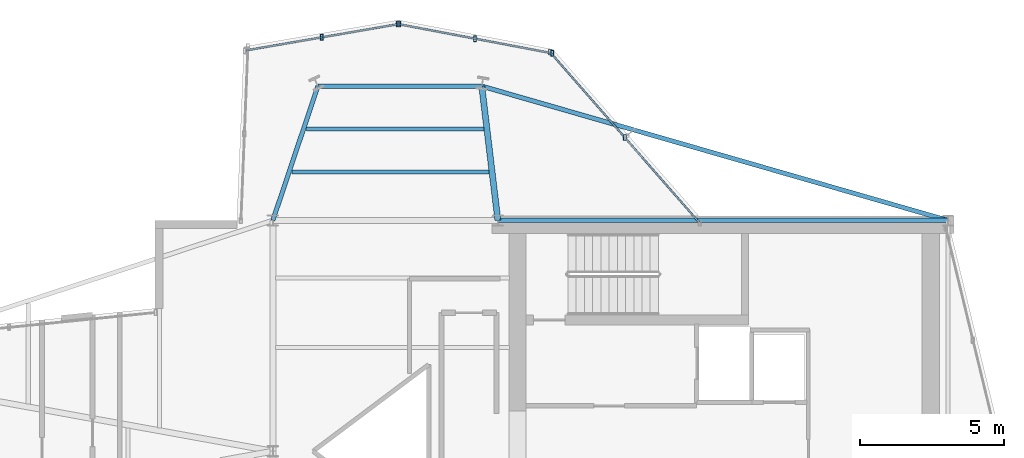
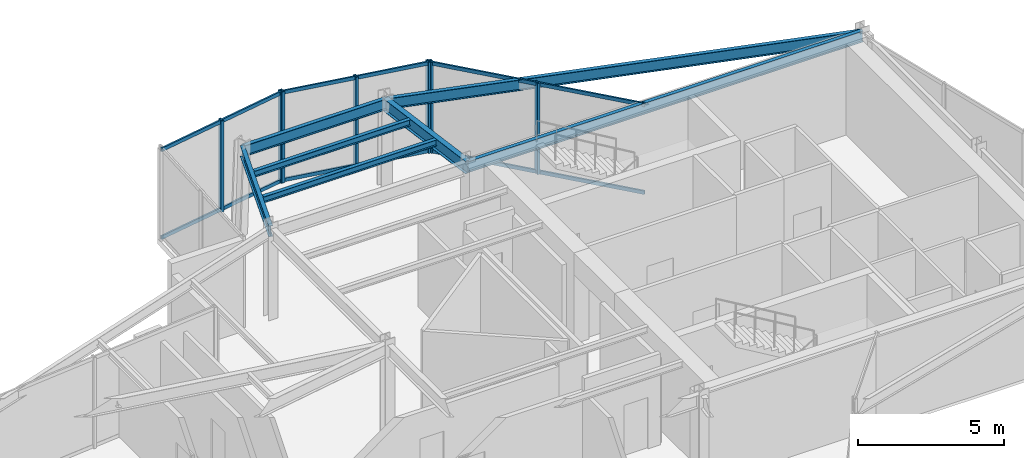
# One storey, part 6 of 13: 13 members, 7 beams, 3 elements without a shape of their own.
"""IFC4 building model written with IfcOpenShell, lengths in metres."""

from ifc_helpers import new_model, si_unit, direction, frame, origin, origin_2d, place, context, subcontext, project, spatial, hollow_rectangle, i_section, extrude, material, layer, layer_set, material_profile, profile_set, type_object, element, aggregate, save


model = new_model("IFC4")

# Units and contexts
model_context = context("Model", 3, precision=1e-05, world=origin(), true_north=direction((0.0, 1.0)))
body_context = subcontext(model_context, "Body", "Model", "MODEL_VIEW")
ifc_project = project(units=[si_unit("LENGTHUNIT", "METRE"), si_unit("AREAUNIT", "SQUARE_METRE"), si_unit("VOLUMEUNIT", "CUBIC_METRE"), si_unit("PLANEANGLEUNIT", "RADIAN"), si_unit("MASSUNIT", "GRAM", prefix="KILO")], contexts=[model_context])

# Site, building, storey
site_placement = place(None, origin())
site = spatial("IfcSite", under=ifc_project, at=site_placement, CompositionType="ELEMENT")
building_placement = place(site_placement, origin())
building = spatial("IfcBuilding", under=site, at=building_placement, Name="Veymaron Broadcast Tower", CompositionType="ELEMENT")
storey_placement = place(building_placement, frame((0.0, 0.0, 274.949951171875)))
storey = spatial("IfcBuildingStorey", under=building, at=storey_placement, Name="L64", CompositionType="ELEMENT", Elevation=274.949951171875)

# Beams
ifc_material_1 = material(Name="Structural steel ASTM A992 Gr 50", Category="steel")
ifc_material_profile_1 = material_profile(ifc_material_1, i_section(OverallWidth=0.208984375, OverallDepth=0.528076171875, WebThickness=0.009521484375, FlangeThickness=0.01318359375, at=origin_2d()), Name="W530X82")
ifc_profile_set_1 = profile_set([ifc_material_profile_1], Name="Structural steel ASTM A992 Gr 50")
beam_type_1 = type_object("IfcBeamType", Name="BM-FG4", PredefinedType="BEAM", material=ifc_profile_set_1)
beam_1_placement = place(storey_placement, frame((39.0, 32.0, 3.546142578125), z_axis=(-0.119114400744, 0.992880536387, 0.0), x_axis=(-0.992880536387, -0.119114400744, 0.0)))
element("IfcBeam", 1, at=beam_1_placement, inside=storey, type_object=beam_type_1, Name="L64 primary structural floor girder", PredefinedType="BEAM", context=body_context, shape_type="SweptSolid", body=[
    extrude(i_section(OverallWidth=0.208984375, OverallDepth=0.528076171875, WebThickness=0.009521484375, FlangeThickness=0.01318359375, at=origin_2d()), origin(), (0.0, 0.0, 1.0), 4.685546875),
])
ifc_material_profile_2 = material_profile(ifc_material_1, i_section(OverallWidth=0.14599609375, OverallDepth=0.258056640625, WebThickness=0.006103515625, FlangeThickness=0.009033203125, at=origin_2d()), Name="W250X33")
ifc_profile_set_2 = profile_set([ifc_material_profile_2], Name="Structural steel ASTM A992 Gr 50")
beam_type_2 = type_object("IfcBeamType", Name="BM-JS4", PredefinedType="JOIST", material=ifc_profile_set_2)
beam_2_placement = place(storey_placement, frame((31.862548828125, 33.6748046875, 3.68115234375), z_axis=(1.0, 0.0, 0.0), x_axis=(0.0, 1.0, 0.0)))
element("IfcBeam", 2, at=beam_2_placement, inside=storey, type_object=beam_type_2, Name="L64 Arm-B secondary joist 1", PredefinedType="JOIST", context=body_context, shape_type="SweptSolid", body=[
    extrude(i_section(OverallWidth=0.14599609375, OverallDepth=0.258056640625, WebThickness=0.006103515625, FlangeThickness=0.009033203125, at=origin_2d()), origin(), (0.0, 0.0, 1.0), 6.836669921875),
])
beam_3_placement = place(storey_placement, frame((32.3623046875, 35.163330078125, 3.68115234375), z_axis=(1.0, 0.0, 0.0), x_axis=(0.0, 1.0, 0.0)))
element("IfcBeam", 3, at=beam_3_placement, inside=storey, type_object=beam_type_2, Name="L64 Arm-B secondary joist 2", PredefinedType="JOIST", context=body_context, shape_type="SweptSolid", body=[
    extrude(i_section(OverallWidth=0.14599609375, OverallDepth=0.258056640625, WebThickness=0.006103515625, FlangeThickness=0.009033203125, at=origin_2d()), origin(), (0.0, 0.0, 1.0), 6.158203125),
])
ifc_material_profile_3 = material_profile(ifc_material_1, i_section(OverallWidth=0.154052734375, OverallDepth=0.458984375, WebThickness=0.009033203125, FlangeThickness=0.015380859375, at=origin_2d()), Name="W460X68")
ifc_profile_set_3 = profile_set([ifc_material_profile_3], Name="Structural steel ASTM A992 Gr 50")
beam_type_3 = type_object("IfcBeamType", Name="BM-SP2", PredefinedType="SPANDREL", material=ifc_profile_set_3)
beam_4_placement = place(storey_placement, frame((39.0, 32.0, 3.58056640625), z_axis=(1.0, 0.0, 0.0), x_axis=(0.0, 1.0, 0.0)))
element("IfcBeam", 4, at=beam_4_placement, inside=storey, type_object=beam_type_3, Name="L64 primary structural floor girder", PredefinedType="SPANDREL", context=body_context, shape_type="SweptSolid", body=[
    extrude(i_section(OverallWidth=0.154052734375, OverallDepth=0.458984375, WebThickness=0.009033203125, FlangeThickness=0.015380859375, at=origin_2d()), origin(), (0.0, 0.0, 1.0), 15.60009765625),
])
beam_5_placement = place(storey_placement, frame((31.199951171875, 32.0, 3.58056640625), z_axis=(0.318391007143, 0.947959475173, 0.0), x_axis=(-0.947959475173, 0.318391007143, 0.0)))
element("IfcBeam", 5, at=beam_5_placement, inside=storey, type_object=beam_type_3, Name="L64 primary structural floor girder", PredefinedType="SPANDREL", context=body_context, shape_type="SweptSolid", body=[
    extrude(i_section(OverallWidth=0.154052734375, OverallDepth=0.458984375, WebThickness=0.009033203125, FlangeThickness=0.015380859375, at=origin_2d()), origin(), (0.0, 0.0, 1.0), 4.907470703125),
])
beam_6_placement = place(storey_placement, frame((54.60009765625, 32.0, 3.58056640625), z_axis=(-0.960964746108, 0.276670845478, 0.0), x_axis=(-0.276670845478, -0.960964746108, 0.0)))
element("IfcBeam", 6, at=beam_6_placement, inside=storey, type_object=beam_type_3, Name="L64 primary structural floor girder", PredefinedType="SPANDREL", context=body_context, shape_type="SweptSolid", body=[
    extrude(i_section(OverallWidth=0.154052734375, OverallDepth=0.458984375, WebThickness=0.009033203125, FlangeThickness=0.015380859375, at=origin_2d()), origin(), (0.0, 0.0, 1.0), 16.814453125),
])
beam_7_placement = place(storey_placement, frame((32.762451171875, 36.652099609375, 3.58056640625), z_axis=(1.0, 0.0, 0.0), x_axis=(0.0, 1.0, 0.0)))
element("IfcBeam", 7, at=beam_7_placement, inside=storey, type_object=beam_type_3, Name="L64 primary structural floor girder", PredefinedType="SPANDREL", context=body_context, shape_type="SweptSolid", body=[
    extrude(i_section(OverallWidth=0.154052734375, OverallDepth=0.458984375, WebThickness=0.009033203125, FlangeThickness=0.015380859375, at=origin_2d()), origin(), (0.0, 0.0, 1.0), 5.679443359375),
])

# Curtain wall, members
ifc_material_2 = material(Name="Anodised aluminium AA 6063-T6 and laminated low-E dark glass", Category="aluminium")
ifc_layer = layer(ifc_material_2, 0.179931640625)
ifc_layer_set = layer_set([ifc_layer], Name="Anodised aluminium AA 6063-T6 and laminated low-E dark glass")
curtain_wall_type = type_object("IfcCurtainWallType", Name="CW-SYS-06", PredefinedType="NOTDEFINED", material=ifc_layer_set)
curtain_wall_1_placement = place(storey_placement, origin())
curtain_wall_1 = element("IfcCurtainWall", 8, at=curtain_wall_1_placement, inside=storey, type_object=curtain_wall_type, Name="L64 dark-glass curtain wall CW-L64-E5-1", PredefinedType="NOTDEFINED")
ifc_material_3 = material(Name="Anodised aluminium AA 6063-T6", Category="aluminium")
ifc_material_profile_4 = material_profile(ifc_material_3, hollow_rectangle(XDim=0.10009765625, YDim=0.199951171875, WallThickness=0.010009765625, at=origin_2d()), Name="RHS200X100X10")
ifc_profile_set_4 = profile_set([ifc_material_profile_4], Name="Anodised aluminium AA 6063-T6")
member_type_1 = type_object("IfcMemberType", Name="CW-MUL-01", PredefinedType="MULLION", material=ifc_profile_set_4)
member_1_placement = place(storey_placement, frame((43.400146484375, 34.872314453125, 0.0), z_axis=(0.0, 0.0, 1.0), x_axis=(1.0, 0.0, 0.0)))
member_1 = element("IfcMember", 9, at=member_1_placement, type_object=member_type_1, Name="CW-L64-E5-1 mullion 1", PredefinedType="MULLION", context=body_context, shape_type="SweptSolid", body=[
    extrude(hollow_rectangle(XDim=0.10009765625, YDim=0.199951171875, WallThickness=0.010009765625, at=origin_2d()), origin(), (0.0, 0.0, 1.0), 3.81005859375),
])
member_2_placement = place(storey_placement, frame((40.805908203125, 37.836669921875, 0.0), z_axis=(0.0, 0.0, 1.0), x_axis=(1.0, 0.0, 0.0)))
member_2 = element("IfcMember", 10, at=member_2_placement, type_object=member_type_1, Name="CW-L64-E5-1 mullion 2", PredefinedType="MULLION", context=body_context, shape_type="SweptSolid", body=[
    extrude(hollow_rectangle(XDim=0.10009765625, YDim=0.199951171875, WallThickness=0.010009765625, at=origin_2d()), origin(), (0.0, 0.0, 1.0), 3.81005859375),
])

curtain_wall_2_placement = place(storey_placement, origin())
curtain_wall_2 = element("IfcCurtainWall", 11, at=curtain_wall_2_placement, inside=storey, type_object=curtain_wall_type, Name="L64 dark-glass curtain wall CW-L64-E6-1", PredefinedType="NOTDEFINED")
member_3_placement = place(storey_placement, frame((40.88525390625, 37.791259765625, 0.0), z_axis=(0.0, 0.0, 1.0), x_axis=(1.0, 0.0, 0.0)))
member_3 = element("IfcMember", 12, at=member_3_placement, type_object=member_type_1, Name="CW-L64-E6-1 mullion 0", PredefinedType="MULLION", context=body_context, shape_type="SweptSolid", body=[
    extrude(hollow_rectangle(XDim=0.10009765625, YDim=0.199951171875, WallThickness=0.010009765625, at=origin_2d()), origin(), (0.0, 0.0, 1.0), 3.81005859375),
])
member_4_placement = place(storey_placement, frame((38.206298828125, 38.299560546875, 0.0), z_axis=(0.0, 0.0, 1.0), x_axis=(1.0, 0.0, 0.0)))
member_4 = element("IfcMember", 13, at=member_4_placement, type_object=member_type_1, Name="CW-L64-E6-1 mullion 1", PredefinedType="MULLION", context=body_context, shape_type="SweptSolid", body=[
    extrude(hollow_rectangle(XDim=0.10009765625, YDim=0.199951171875, WallThickness=0.010009765625, at=origin_2d()), origin(), (0.0, 0.0, 1.0), 3.81005859375),
])
member_5_placement = place(storey_placement, frame((35.527099609375, 38.8076171875, 0.0), z_axis=(0.0, 0.0, 1.0), x_axis=(1.0, 0.0, 0.0)))
member_5 = element("IfcMember", 14, at=member_5_placement, type_object=member_type_1, Name="CW-L64-E6-1 mullion 2", PredefinedType="MULLION", context=body_context, shape_type="SweptSolid", body=[
    extrude(hollow_rectangle(XDim=0.10009765625, YDim=0.199951171875, WallThickness=0.010009765625, at=origin_2d()), origin(), (0.0, 0.0, 1.0), 3.81005859375),
])

curtain_wall_3_placement = place(storey_placement, origin())
curtain_wall_3 = element("IfcCurtainWall", 15, at=curtain_wall_3_placement, inside=storey, type_object=curtain_wall_type, Name="L64 dark-glass curtain wall CW-L64-E7-1", PredefinedType="NOTDEFINED")
member_6_placement = place(storey_placement, frame((35.576904296875, 38.80712890625, 0.0), z_axis=(0.0, 0.0, 1.0), x_axis=(1.0, 0.0, 0.0)))
member_6 = element("IfcMember", 16, at=member_6_placement, type_object=member_type_1, Name="CW-L64-E7-1 mullion 0", PredefinedType="MULLION", context=body_context, shape_type="SweptSolid", body=[
    extrude(hollow_rectangle(XDim=0.10009765625, YDim=0.199951171875, WallThickness=0.010009765625, at=origin_2d()), origin(), (0.0, 0.0, 1.0), 3.81005859375),
])
member_7_placement = place(storey_placement, frame((32.89794921875, 38.34521484375, 0.0), z_axis=(0.0, 0.0, 1.0), x_axis=(1.0, 0.0, 0.0)))
member_7 = element("IfcMember", 17, at=member_7_placement, type_object=member_type_1, Name="CW-L64-E7-1 mullion 1", PredefinedType="MULLION", context=body_context, shape_type="SweptSolid", body=[
    extrude(hollow_rectangle(XDim=0.10009765625, YDim=0.199951171875, WallThickness=0.010009765625, at=origin_2d()), origin(), (0.0, 0.0, 1.0), 3.81005859375),
])

# Member
ifc_material_profile_5 = material_profile(ifc_material_3, hollow_rectangle(XDim=0.06494140625, YDim=0.14990234375, WallThickness=0.00390625, at=origin_2d()), Name="AL150X65X4")
ifc_profile_set_5 = profile_set([ifc_material_profile_5], Name="Anodised aluminium AA 6063-T6")
member_type_2 = type_object("IfcMemberType", Name="CW-TRN-01", PredefinedType="USERDEFINED", material=ifc_profile_set_5)
member_8_placement = place(storey_placement, frame((45.961669921875, 31.9453125, 0.070068359375), z_axis=(-0.658560155481, 0.752528086926, 0.0), x_axis=(-0.752528086926, -0.658560155481, 0.0)))
member_8 = element("IfcMember", 18, at=member_8_placement, type_object=member_type_2, Name="CW-L64-E5-1 transom B", ObjectType="TRANSOM", PredefinedType="USERDEFINED", context=body_context, shape_type="SweptSolid", body=[
    extrude(hollow_rectangle(XDim=0.06494140625, YDim=0.14990234375, WallThickness=0.00390625, at=origin_2d()), origin(), (0.0, 0.0, 1.0), 7.77880859375),
])

member_9_placement = place(storey_placement, frame((45.961669921875, 31.9453125, 3.739990234375), z_axis=(-0.658560155481, 0.752528086926, 0.0), x_axis=(-0.752528086926, -0.658560155481, 0.0)))
member_9 = element("IfcMember", 19, at=member_9_placement, type_object=member_type_2, Name="CW-L64-E5-1 transom T", ObjectType="TRANSOM", PredefinedType="USERDEFINED", context=body_context, shape_type="SweptSolid", body=[
    extrude(hollow_rectangle(XDim=0.06494140625, YDim=0.14990234375, WallThickness=0.00390625, at=origin_2d()), origin(), (0.0, 0.0, 1.0), 7.77880859375),
])

aggregate(curtain_wall_1, [member_1, member_2, member_8, member_9])

member_10_placement = place(storey_placement, frame((40.836181640625, 37.800537109375, 0.070068359375), z_axis=(-0.982479182854, 0.186372356478, 0.0), x_axis=(-0.186372356478, -0.982479182854, 0.0)))
member_10 = element("IfcMember", 20, at=member_10_placement, type_object=member_type_2, Name="CW-L64-E6-1 transom B", ObjectType="TRANSOM", PredefinedType="USERDEFINED", context=body_context, shape_type="SweptSolid", body=[
    extrude(hollow_rectangle(XDim=0.06494140625, YDim=0.14990234375, WallThickness=0.00390625, at=origin_2d()), origin(), (0.0, 0.0, 1.0), 5.353759765625),
])

member_11_placement = place(storey_placement, frame((40.836181640625, 37.800537109375, 3.739990234375), z_axis=(-0.982479182854, 0.186372356478, 0.0), x_axis=(-0.186372356478, -0.982479182854, 0.0)))
member_11 = element("IfcMember", 21, at=member_11_placement, type_object=member_type_2, Name="CW-L64-E6-1 transom T", ObjectType="TRANSOM", PredefinedType="USERDEFINED", context=body_context, shape_type="SweptSolid", body=[
    extrude(hollow_rectangle(XDim=0.06494140625, YDim=0.14990234375, WallThickness=0.00390625, at=origin_2d()), origin(), (0.0, 0.0, 1.0), 5.353759765625),
])

aggregate(curtain_wall_2, [member_3, member_4, member_5, member_10, member_11])

member_12_placement = place(storey_placement, frame((35.527587890625, 38.798583984375, 0.070068359375), z_axis=(-0.985454833095, -0.169937553031, 0.0), x_axis=(0.169937553031, -0.985454833095, 0.0)))
member_12 = element("IfcMember", 22, at=member_12_placement, type_object=member_type_2, Name="CW-L64-E7-1 transom B", ObjectType="TRANSOM", PredefinedType="USERDEFINED", context=body_context, shape_type="SweptSolid", body=[
    extrude(hollow_rectangle(XDim=0.06494140625, YDim=0.14990234375, WallThickness=0.00390625, at=origin_2d()), origin(), (0.0, 0.0, 1.0), 5.337158203125),
])

member_13_placement = place(storey_placement, frame((35.527587890625, 38.798583984375, 3.739990234375), z_axis=(-0.985454833095, -0.169937553031, 0.0), x_axis=(0.169937553031, -0.985454833095, 0.0)))
member_13 = element("IfcMember", 23, at=member_13_placement, type_object=member_type_2, Name="CW-L64-E7-1 transom T", ObjectType="TRANSOM", PredefinedType="USERDEFINED", context=body_context, shape_type="SweptSolid", body=[
    extrude(hollow_rectangle(XDim=0.06494140625, YDim=0.14990234375, WallThickness=0.00390625, at=origin_2d()), origin(), (0.0, 0.0, 1.0), 5.337158203125),
])

aggregate(curtain_wall_3, [member_6, member_7, member_12, member_13])

save(model, "model.ifc")
